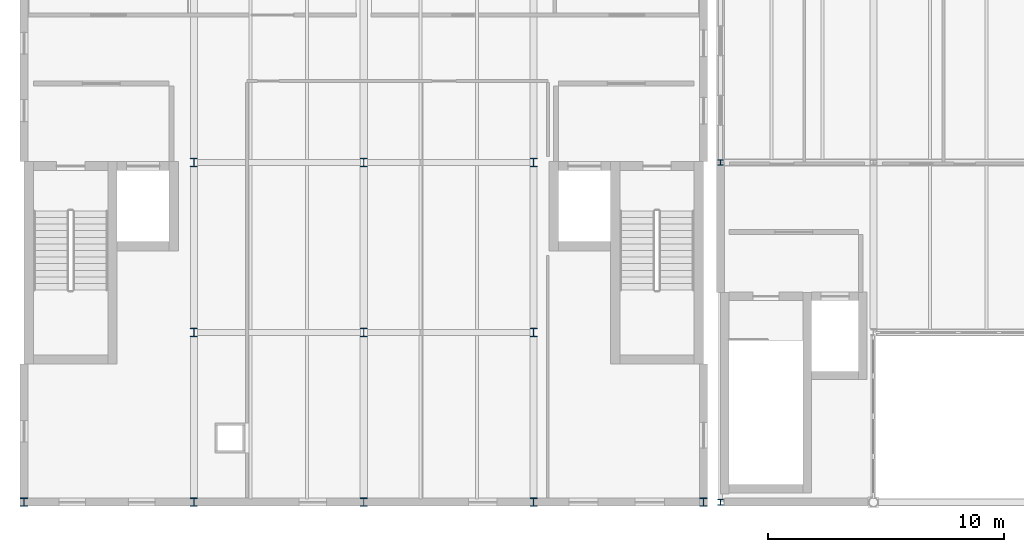
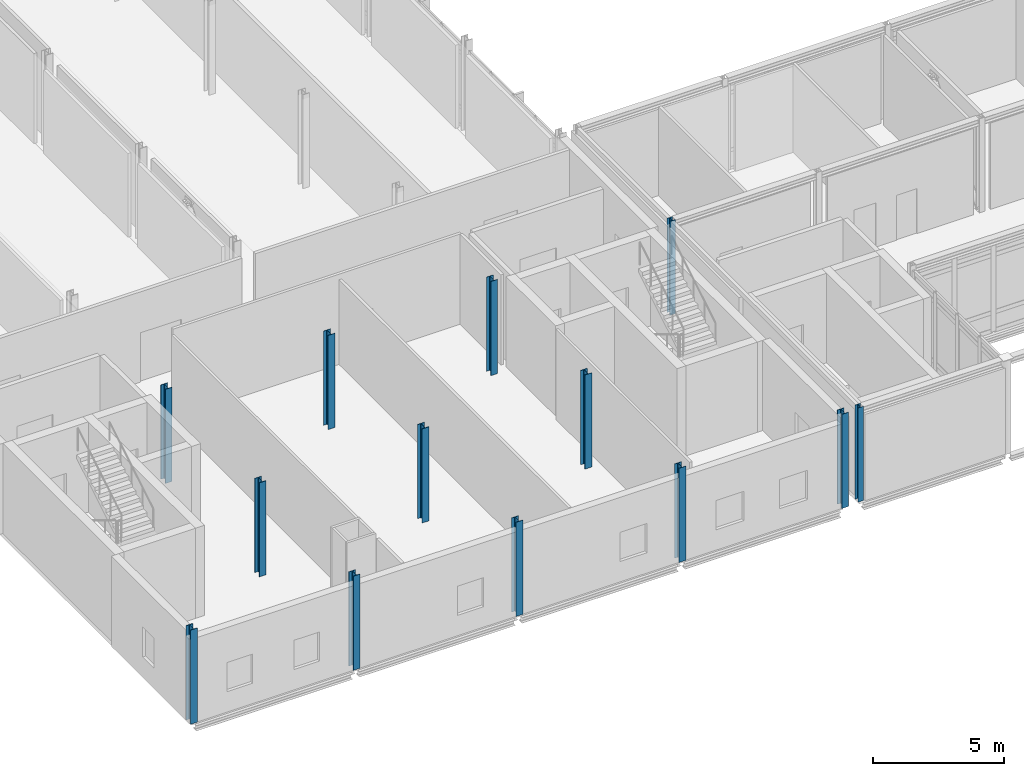
# One storey, part 1 of 43: 13 columns.
"""IFC4 building model written with IfcOpenShell, lengths in metres."""

from ifc_helpers import new_model, si_unit, direction, frame, origin, origin_2d, place, context, subcontext, project, spatial, i_section, extrude, material, material_profile, profile_set, type_object, element, save


model = new_model("IFC4")

# Units and contexts
model_context = context("Model", 3, precision=1e-05, world=origin(), true_north=direction((0.0, 1.0)))
body_context = subcontext(model_context, "Body", "Model", "MODEL_VIEW")
ifc_project = project(units=[si_unit("LENGTHUNIT", "METRE"), si_unit("AREAUNIT", "SQUARE_METRE"), si_unit("VOLUMEUNIT", "CUBIC_METRE"), si_unit("PLANEANGLEUNIT", "RADIAN"), si_unit("MASSUNIT", "GRAM", prefix="KILO")], contexts=[model_context])

# Site, building, storey
site_placement = place(None, origin())
site = spatial("IfcSite", under=ifc_project, at=site_placement, CompositionType="ELEMENT")
building_placement = place(site_placement, origin())
building = spatial("IfcBuilding", under=site, at=building_placement, Name="Zarrinpeak Specialist Clinic", CompositionType="ELEMENT")
storey_placement = place(building_placement, frame((0.0, 0.0, 18.39990234375)))
storey = spatial("IfcBuildingStorey", under=building, at=storey_placement, Name="L04", CompositionType="ELEMENT", Elevation=18.39990234375)

# Columns
ifc_material = material(Name="Steel S355", Category="steel")
ifc_material_profile_1 = material_profile(ifc_material, i_section(OverallWidth=0.239990234375, OverallDepth=0.239990234375, WebThickness=0.010009765625, FlangeThickness=0.01708984375, FilletRadius=0.02099609375, at=origin_2d()), Name="HEB 240")
ifc_profile_set_1 = profile_set([ifc_material_profile_1], Name="Steel S355")
column_type_1 = type_object("IfcColumnType", Name="COL-HEB240", PredefinedType="COLUMN", material=ifc_profile_set_1)
for number, where, z_axis, x_axis, name in (
    (1, (29.52001953125, 0.0, 0.0), (0.0, 0.0, 1.0), (1.0, 0.0, 0.0), "L04 Structural Column COL-L04-037"),
    (2, (29.52001953125, 14.39990234375, 0.0), (0.0, 0.0, 1.0), (1.0, 0.0, 0.0), "L04 Structural Column COL-L04-038"),
):
    element("IfcColumn", number, at=place(storey_placement, frame(where, z_axis=z_axis, x_axis=x_axis)), inside=storey, type_object=column_type_1, Name=name, PredefinedType="COLUMN", context=body_context, shape_type="SweptSolid", body=[
        extrude(i_section(OverallWidth=0.239990234375, OverallDepth=0.239990234375, WebThickness=0.010009765625, FlangeThickness=0.01708984375, FilletRadius=0.02099609375, at=origin_2d()), origin(), (0.0, 0.0, 1.0), 4.400146484375),
    ])
ifc_material_profile_2 = material_profile(ifc_material, i_section(OverallWidth=0.300048828125, OverallDepth=0.360107421875, WebThickness=0.012451171875, FlangeThickness=0.0224609375, FilletRadius=0.027099609375, at=origin_2d()), Name="HEB 360")
ifc_profile_set_2 = profile_set([ifc_material_profile_2], Name="Steel S355")
column_type_2 = type_object("IfcColumnType", Name="COL-HEB360", PredefinedType="COLUMN", material=ifc_profile_set_2)
for number, where, z_axis, x_axis, name in (
    (3, (0.0, 0.0, 0.0), (0.0, 0.0, 1.0), (1.0, 0.0, 0.0), "L04 Structural Column COL-L04-001"),
    (4, (7.199951171875, 0.0, 0.0), (0.0, 0.0, 1.0), (1.0, 0.0, 0.0), "L04 Structural Column COL-L04-007"),
    (5, (7.199951171875, 7.199951171875, 0.0), (0.0, 0.0, 1.0), (1.0, 0.0, 0.0), "L04 Structural Column COL-L04-008"),
    (6, (7.199951171875, 14.39990234375, 0.0), (0.0, 0.0, 1.0), (1.0, 0.0, 0.0), "L04 Structural Column COL-L04-009"),
    (7, (14.39990234375, 0.0, 0.0), (0.0, 0.0, 1.0), (1.0, 0.0, 0.0), "L04 Structural Column COL-L04-015"),
    (8, (14.39990234375, 7.199951171875, 0.0), (0.0, 0.0, 1.0), (1.0, 0.0, 0.0), "L04 Structural Column COL-L04-016"),
    (9, (14.39990234375, 14.39990234375, 0.0), (0.0, 0.0, 1.0), (1.0, 0.0, 0.0), "L04 Structural Column COL-L04-017"),
    (10, (21.60009765625, 0.0, 0.0), (0.0, 0.0, 1.0), (1.0, 0.0, 0.0), "L04 Structural Column COL-L04-023"),
    (11, (21.60009765625, 7.199951171875, 0.0), (0.0, 0.0, 1.0), (1.0, 0.0, 0.0), "L04 Structural Column COL-L04-024"),
    (12, (21.60009765625, 14.39990234375, 0.0), (0.0, 0.0, 1.0), (1.0, 0.0, 0.0), "L04 Structural Column COL-L04-025"),
    (13, (28.800048828125, 0.0, 0.0), (0.0, 0.0, 1.0), (1.0, 0.0, 0.0), "L04 Structural Column COL-L04-031"),
):
    element("IfcColumn", number, at=place(storey_placement, frame(where, z_axis=z_axis, x_axis=x_axis)), inside=storey, type_object=column_type_2, Name=name, PredefinedType="COLUMN", context=body_context, shape_type="SweptSolid", body=[
        extrude(i_section(OverallWidth=0.300048828125, OverallDepth=0.360107421875, WebThickness=0.012451171875, FlangeThickness=0.0224609375, FilletRadius=0.027099609375, at=origin_2d()), origin(), (0.0, 0.0, 1.0), 4.400146484375),
    ])

save(model, "model.ifc")
